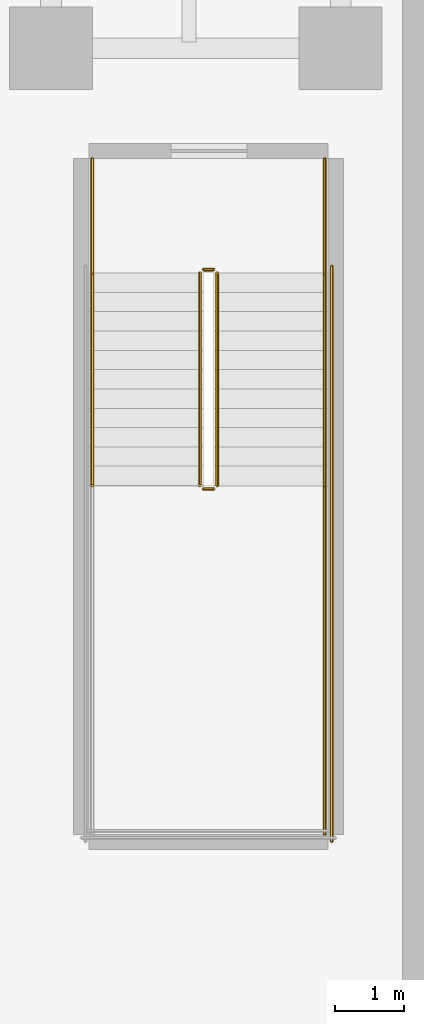
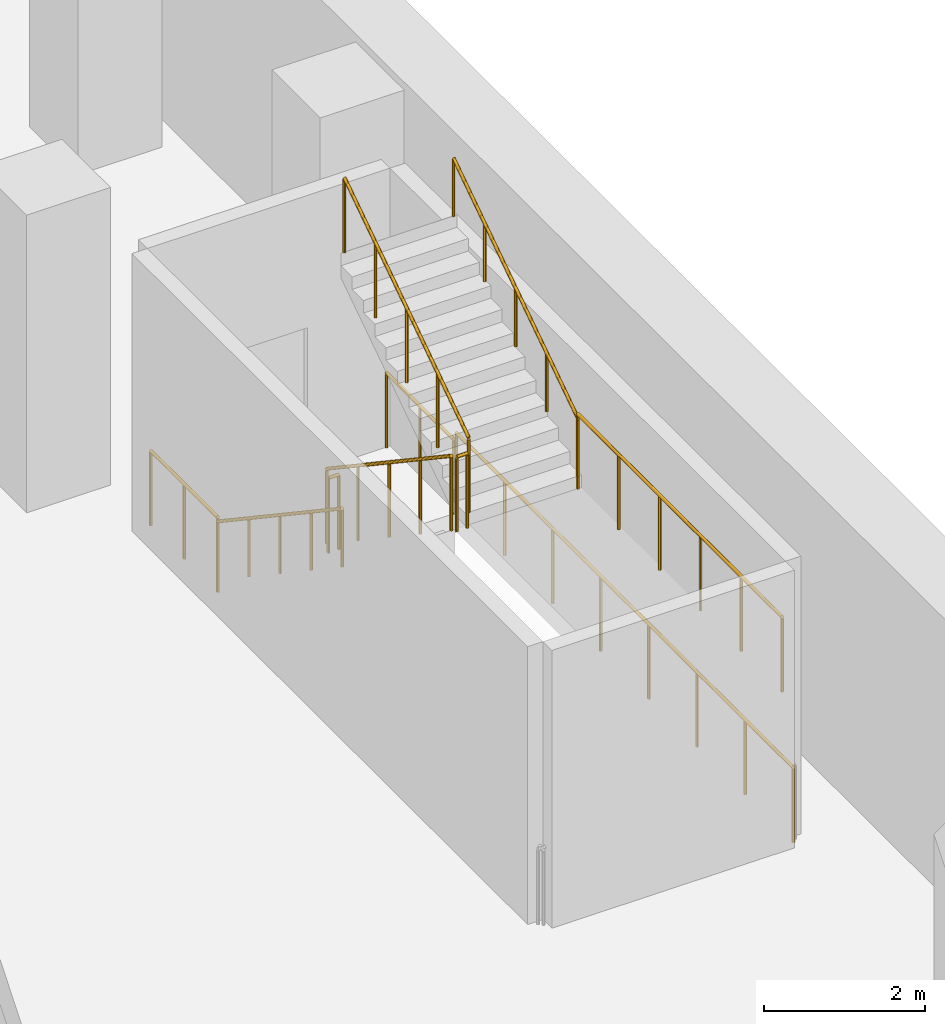
# One storey, part 14 of 14: 10 railings.
"""IFC4 building model written with IfcOpenShell, lengths in metres."""

from ifc_helpers import new_model, si_unit, direction, frame, origin, origin_2d, place, context, subcontext, project, spatial, circle, extrude, material, type_object, element, save


model = new_model("IFC4")

# Units and contexts
model_context = context("Model", 3, precision=1e-05, world=origin(), true_north=direction((0.0, 1.0)))
body_context = subcontext(model_context, "Body", "Model", "MODEL_VIEW")
ifc_project = project(units=[si_unit("LENGTHUNIT", "METRE"), si_unit("AREAUNIT", "SQUARE_METRE"), si_unit("VOLUMEUNIT", "CUBIC_METRE"), si_unit("PLANEANGLEUNIT", "RADIAN"), si_unit("MASSUNIT", "GRAM", prefix="KILO")], contexts=[model_context])

# Site, building, storey
site_placement = place(None, origin())
site = spatial("IfcSite", under=ifc_project, at=site_placement, CompositionType="ELEMENT")
building_placement = place(site_placement, origin())
building = spatial("IfcBuilding", under=site, at=building_placement, Name="Khairoan Windgate Tower", CompositionType="ELEMENT")
storey_placement = place(building_placement, frame((0.0, 0.0, -4.5)))
storey = spatial("IfcBuildingStorey", under=building, at=storey_placement, Name="B1", CompositionType="ELEMENT", Elevation=-4.5)

# Railings
ifc_material_1 = material(Name="Anodised Bronze Aluminium 6063-T6", Category="aluminium")
railing_type_1 = type_object("IfcRailingType", Name="Stair Wall Handrail SHR-900", PredefinedType="HANDRAIL", material=ifc_material_1)
railing_1_placement = place(storey_placement, frame((30.60009765625, -11.659912109375, 0.1875)))
element("IfcRailing", 1, at=railing_1_placement, inside=storey, type_object=railing_type_1, Name="B1 ST3 stair handrail 1", PredefinedType="HANDRAIL", context=body_context, shape_type="SweptSolid", body=[
    extrude(circle(Radius=0.02392578125, at=origin_2d()), frame((0.0, 0.0, 0.8759765625), z_axis=(0.0, -0.830913701846, 0.55640131208), x_axis=(1.0, 0.0, 0.0)), (0.0, 0.0, 1.0), 3.706787109375),
    extrude(circle(Radius=0.02099609375, at=origin_2d()), origin(), (0.0, 0.0, 1.0), 0.851806640625),
    extrude(circle(Radius=0.02099609375, at=origin_2d()), frame((0.0, -0.77001953125, 0.515625)), (0.0, 0.0, 1.0), 0.851806640625),
    extrude(circle(Radius=0.02099609375, at=origin_2d()), frame((0.0, -1.5400390625, 1.03125)), (0.0, 0.0, 1.0), 0.851806640625),
    extrude(circle(Radius=0.02099609375, at=origin_2d()), frame((0.0, -2.31005859375, 1.546875)), (0.0, 0.0, 1.0), 0.851806640625),
    extrude(circle(Radius=0.02099609375, at=origin_2d()), frame((0.0, -3.080078125, 2.0625)), (0.0, 0.0, 1.0), 0.851806640625),
])
railing_2_placement = place(storey_placement, frame((33.969970703125, -14.739990234375, 2.4375)))
element("IfcRailing", 2, at=railing_2_placement, inside=storey, type_object=railing_type_1, Name="B1 ST3 stair handrail 2", PredefinedType="HANDRAIL", context=body_context, shape_type="SweptSolid", body=[
    extrude(circle(Radius=0.02392578125, at=origin_2d()), frame((0.0, 0.0, 0.8759765625), z_axis=(0.0, 0.830913701846, 0.55640131208), x_axis=(-1.0, 0.0, 0.0)), (0.0, 0.0, 1.0), 3.706787109375),
    extrude(circle(Radius=0.02099609375, at=origin_2d()), origin(), (0.0, 0.0, 1.0), 0.851806640625),
    extrude(circle(Radius=0.02099609375, at=origin_2d()), frame((0.0, 0.77001953125, 0.515625)), (0.0, 0.0, 1.0), 0.851806640625),
    extrude(circle(Radius=0.02099609375, at=origin_2d()), frame((0.0, 1.5400390625, 1.03125)), (0.0, 0.0, 1.0), 0.851806640625),
    extrude(circle(Radius=0.02099609375, at=origin_2d()), frame((0.0, 2.31005859375, 1.546875)), (0.0, 0.0, 1.0), 0.851806640625),
    extrude(circle(Radius=0.02099609375, at=origin_2d()), frame((0.0, 3.080078125, 2.0625)), (0.0, 0.0, 1.0), 0.851806640625),
])
ifc_material_2 = material(Name="Steel S355", Category="steel")
railing_type_2 = type_object("IfcRailingType", Name="Stairwell Safety Guardrail SGR-1150", PredefinedType="GUARDRAIL", material=ifc_material_2)
railing_3_placement = place(storey_placement, frame((32.159912109375, -11.659912109375, 0.1875)))
element("IfcRailing", 3, at=railing_3_placement, inside=storey, type_object=railing_type_2, Name="B1 ST3 stair guard 1", PredefinedType="GUARDRAIL", context=body_context, shape_type="SweptSolid", body=[
    extrude(circle(Radius=0.02392578125, at=origin_2d()), frame((0.0, 0.0, 1.1259765625), z_axis=(0.0, -0.830913701846, 0.55640131208), x_axis=(1.0, 0.0, 0.0)), (0.0, 0.0, 1.0), 3.706787109375),
    extrude(circle(Radius=0.02099609375, at=origin_2d()), origin(), (0.0, 0.0, 1.0), 1.101806640625),
    extrude(circle(Radius=0.02099609375, at=origin_2d()), frame((0.0, -0.77001953125, 0.515625)), (0.0, 0.0, 1.0), 1.101806640625),
    extrude(circle(Radius=0.02099609375, at=origin_2d()), frame((0.0, -1.5400390625, 1.03125)), (0.0, 0.0, 1.0), 1.101806640625),
    extrude(circle(Radius=0.02099609375, at=origin_2d()), frame((0.0, -2.31005859375, 1.546875)), (0.0, 0.0, 1.0), 1.101806640625),
    extrude(circle(Radius=0.02099609375, at=origin_2d()), frame((0.0, -3.080078125, 2.0625)), (0.0, 0.0, 1.0), 1.101806640625),
])
railing_4_placement = place(storey_placement, frame((32.2099609375, -14.7900390625, 2.25)))
element("IfcRailing", 4, at=railing_4_placement, inside=storey, type_object=railing_type_2, Name="B1 ST3 stair guard 2", PredefinedType="GUARDRAIL", context=body_context, shape_type="SweptSolid", body=[
    extrude(circle(Radius=0.02392578125, at=origin_2d()), frame((0.0, 0.0, 1.1259765625), z_axis=(1.0, 0.0, 0.0), x_axis=(0.0, 1.0, 0.0)), (0.0, 0.0, 1.0), 0.150146484375),
    extrude(circle(Radius=0.02099609375, at=origin_2d()), origin(), (0.0, 0.0, 1.0), 1.101806640625),
    extrude(circle(Radius=0.02099609375, at=origin_2d()), frame((0.150146484375, 0.0, 0.0)), (0.0, 0.0, 1.0), 1.101806640625),
])
railing_5_placement = place(storey_placement, frame((33.969970703125, -14.739990234375, 2.25)))
element("IfcRailing", 5, at=railing_5_placement, inside=storey, type_object=railing_type_2, Name="B1 ST3 stair guard 4", PredefinedType="GUARDRAIL", context=body_context, shape_type="SweptSolid", body=[
    extrude(circle(Radius=0.02392578125, at=origin_2d()), frame((0.0, 0.0, 1.1259765625), z_axis=(0.0, -1.0, 0.0), x_axis=(1.0, 0.0, 0.0)), (0.0, 0.0, 1.0), 5.06005859375),
    extrude(circle(Radius=0.02099609375, at=origin_2d()), origin(), (0.0, 0.0, 1.0), 1.101806640625),
    extrude(circle(Radius=0.02099609375, at=origin_2d()), frame((0.0, -1.011962890625, 0.0)), (0.0, 0.0, 1.0), 1.101806640625),
    extrude(circle(Radius=0.02099609375, at=origin_2d()), frame((0.0, -2.02392578125, 0.0)), (0.0, 0.0, 1.0), 1.101806640625),
    extrude(circle(Radius=0.02099609375, at=origin_2d()), frame((0.0, -3.0361328125, 0.0)), (0.0, 0.0, 1.0), 1.101806640625),
    extrude(circle(Radius=0.02099609375, at=origin_2d()), frame((0.0, -4.048095703125, 0.0)), (0.0, 0.0, 1.0), 1.101806640625),
    extrude(circle(Radius=0.02099609375, at=origin_2d()), frame((0.0, -5.06005859375, 0.0)), (0.0, 0.0, 1.0), 1.101806640625),
])
railing_6_placement = place(storey_placement, frame((32.409912109375, -14.739990234375, 2.4375)))
element("IfcRailing", 6, at=railing_6_placement, inside=storey, type_object=railing_type_2, Name="B1 ST3 stair guard 6", PredefinedType="GUARDRAIL", context=body_context, shape_type="SweptSolid", body=[
    extrude(circle(Radius=0.02392578125, at=origin_2d()), frame((0.0, 0.0, 1.1259765625), z_axis=(0.0, 0.830913701846, 0.55640131208), x_axis=(-1.0, 0.0, 0.0)), (0.0, 0.0, 1.0), 3.706787109375),
    extrude(circle(Radius=0.02099609375, at=origin_2d()), origin(), (0.0, 0.0, 1.0), 1.101806640625),
    extrude(circle(Radius=0.02099609375, at=origin_2d()), frame((0.0, 0.77001953125, 0.515625)), (0.0, 0.0, 1.0), 1.101806640625),
    extrude(circle(Radius=0.02099609375, at=origin_2d()), frame((0.0, 1.5400390625, 1.03125)), (0.0, 0.0, 1.0), 1.101806640625),
    extrude(circle(Radius=0.02099609375, at=origin_2d()), frame((0.0, 2.31005859375, 1.546875)), (0.0, 0.0, 1.0), 1.101806640625),
    extrude(circle(Radius=0.02099609375, at=origin_2d()), frame((0.0, 3.080078125, 2.0625)), (0.0, 0.0, 1.0), 1.101806640625),
])
railing_7_placement = place(storey_placement, frame((32.2099609375, -11.610107421875, 0.0)))
element("IfcRailing", 7, at=railing_7_placement, inside=storey, type_object=railing_type_2, Name="B1 ST3 stair guard 7", PredefinedType="GUARDRAIL", context=body_context, shape_type="SweptSolid", body=[
    extrude(circle(Radius=0.02392578125, at=origin_2d()), frame((0.0, 0.0, 1.1259765625), z_axis=(1.0, 0.0, 0.0), x_axis=(0.0, 1.0, 0.0)), (0.0, 0.0, 1.0), 0.150146484375),
    extrude(circle(Radius=0.02099609375, at=origin_2d()), origin(), (0.0, 0.0, 1.0), 1.101806640625),
    extrude(circle(Radius=0.02099609375, at=origin_2d()), frame((0.150146484375, 0.0, 0.0)), (0.0, 0.0, 1.0), 1.101806640625),
])
for number, where, name in (
    (8, (30.60009765625, -10.0, 0.0), "B1 ST3 stair guard 8"),
    (9, (33.969970703125, -10.0, 0.0), "B1 ST3 stair guard 9"),
):
    element("IfcRailing", number, at=place(storey_placement, frame(where)), inside=storey, type_object=railing_type_2, Name=name, PredefinedType="GUARDRAIL", context=body_context, shape_type="SweptSolid", body=[
        extrude(circle(Radius=0.02392578125, at=origin_2d()), frame((0.0, 0.0, 1.1259765625), z_axis=(0.0, -1.0, 0.0), x_axis=(1.0, 0.0, 0.0)), (0.0, 0.0, 1.0), 1.659912109375),
        extrude(circle(Radius=0.02099609375, at=origin_2d()), origin(), (0.0, 0.0, 1.0), 1.101806640625),
        extrude(circle(Radius=0.02099609375, at=origin_2d()), frame((0.0, -0.830078125, 0.0)), (0.0, 0.0, 1.0), 1.101806640625),
        extrude(circle(Radius=0.02099609375, at=origin_2d()), frame((0.0, -1.659912109375, 0.0)), (0.0, 0.0, 1.0), 1.101806640625),
    ])
railing_8_placement = place(storey_placement, frame((34.070068359375, -11.56005859375, 0.0)))
element("IfcRailing", 10, at=railing_8_placement, inside=storey, type_object=railing_type_2, Name="B1 ST3 stair guard 11", PredefinedType="GUARDRAIL", context=body_context, shape_type="SweptSolid", body=[
    extrude(circle(Radius=0.02392578125, at=origin_2d()), frame((0.0, 0.0, 1.1259765625), z_axis=(0.0, -1.0, 0.0), x_axis=(1.0, 0.0, 0.0)), (0.0, 0.0, 1.0), 8.33984375),
    extrude(circle(Radius=0.02099609375, at=origin_2d()), origin(), (0.0, 0.0, 1.0), 1.101806640625),
    extrude(circle(Radius=0.02099609375, at=origin_2d()), frame((0.0, -1.19140625, 0.0)), (0.0, 0.0, 1.0), 1.101806640625),
    extrude(circle(Radius=0.02099609375, at=origin_2d()), frame((0.0, -2.3828125, 0.0)), (0.0, 0.0, 1.0), 1.101806640625),
    extrude(circle(Radius=0.02099609375, at=origin_2d()), frame((0.0, -3.57421875, 0.0)), (0.0, 0.0, 1.0), 1.101806640625),
    extrude(circle(Radius=0.02099609375, at=origin_2d()), frame((0.0, -4.765625, 0.0)), (0.0, 0.0, 1.0), 1.101806640625),
    extrude(circle(Radius=0.02099609375, at=origin_2d()), frame((0.0, -5.95703125, 0.0)), (0.0, 0.0, 1.0), 1.101806640625),
    extrude(circle(Radius=0.02099609375, at=origin_2d()), frame((0.0, -7.1484375, 0.0)), (0.0, 0.0, 1.0), 1.101806640625),
    extrude(circle(Radius=0.02099609375, at=origin_2d()), frame((0.0, -8.33984375, 0.0)), (0.0, 0.0, 1.0), 1.101806640625),
])

save(model, "model.ifc")
